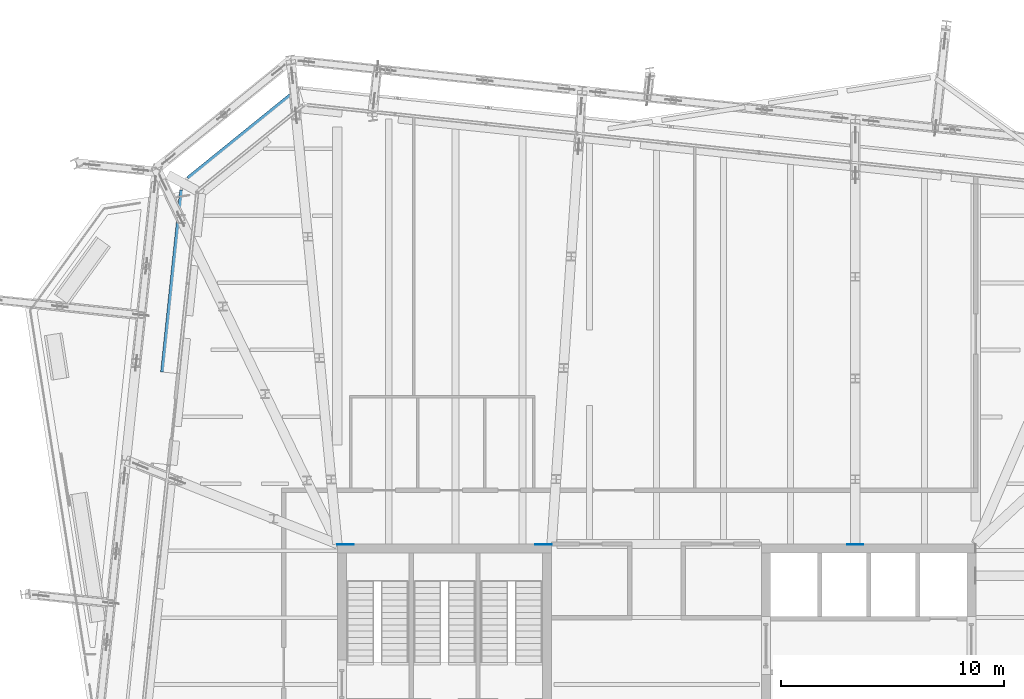
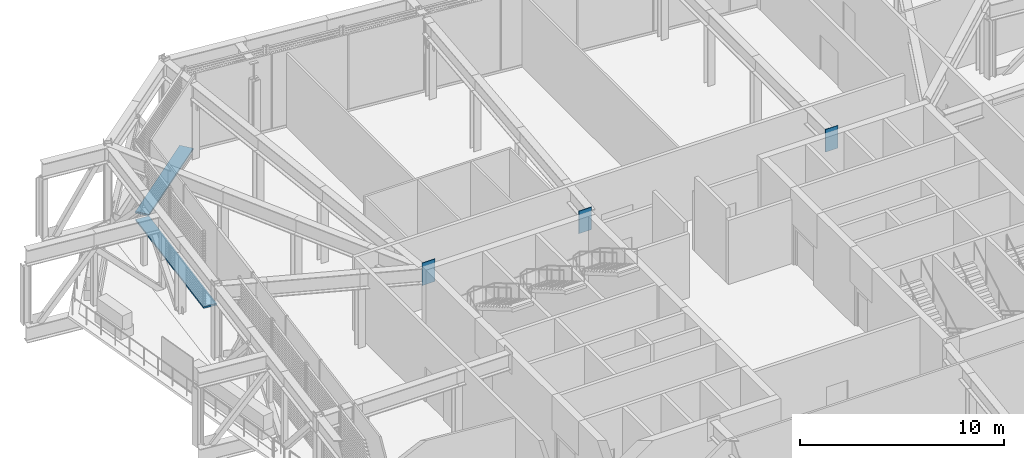
# One storey, part 27 of 36: 5 discrete accessories.
"""IFC4 building model written with IfcOpenShell, lengths in metres."""

from ifc_helpers import new_model, si_unit, direction, frame, origin, origin_2d, place, context, subcontext, project, spatial, rectangle, extrude, material, layer, layer_set, type_object, element, save


model = new_model("IFC4")

# Units and contexts
model_context = context("Model", 3, precision=1e-05, world=origin(), true_north=direction((0.0, 1.0)))
body_context = subcontext(model_context, "Body", "Model", "MODEL_VIEW")
ifc_project = project(units=[si_unit("LENGTHUNIT", "METRE"), si_unit("AREAUNIT", "SQUARE_METRE"), si_unit("VOLUMEUNIT", "CUBIC_METRE"), si_unit("PLANEANGLEUNIT", "RADIAN"), si_unit("MASSUNIT", "GRAM", prefix="KILO")], contexts=[model_context])

# Site, building, storey
site_placement = place(None, origin())
site = spatial("IfcSite", under=ifc_project, at=site_placement, CompositionType="ELEMENT")
building_placement = place(site_placement, origin())
building = spatial("IfcBuilding", under=site, at=building_placement, Name="Millrace Tower", CompositionType="ELEMENT")
storey_placement = place(building_placement, frame((0.0, 0.0, 271.39990234375)))
storey = spatial("IfcBuildingStorey", under=building, at=storey_placement, Name="L62", CompositionType="ELEMENT", Elevation=271.39990234375)

# Discrete accessories
ifc_material_1 = material(Name="Steel ASTM A572 Grade 50", Category="steel")
ifc_layer_1 = layer(ifc_material_1, 0.034912109375)
ifc_layer_set_1 = layer_set([ifc_layer_1], Name="Steel ASTM A572 Grade 50")
discrete_accessory_type_1 = type_object("IfcDiscreteAccessoryType", Name="Cast-in anchor plate 725x1350x35", PredefinedType="ANCHORPLATE", material=ifc_layer_set_1)
discrete_accessory_1_placement = place(storey_placement, frame((8.9033203125, 9.264892578125, 3.96630859375), z_axis=(0.0, 1.0, 0.0), x_axis=(-1.0, 0.0, 0.0)))
element("IfcDiscreteAccessory", 1, at=discrete_accessory_1_placement, inside=storey, type_object=discrete_accessory_type_1, Name="Cast-in anchor plate TRS-L62-C11-T05", PredefinedType="ANCHORPLATE", context=body_context, shape_type="SweptSolid", body=[
    extrude(rectangle(XDim=0.72509765625, YDim=1.35009765625, at=origin_2d()), origin(), (0.0, 0.0, 1.0), 0.03515625),
])
ifc_material_2 = material(Name="Steel ASTM A572 Grade 50", Category="steel")
ifc_layer_2 = layer(ifc_material_2, 0.034912109375)
ifc_layer_set_2 = layer_set([ifc_layer_2], Name="Steel ASTM A572 Grade 50")
discrete_accessory_type_2 = type_object("IfcDiscreteAccessoryType", Name="Cast-in anchor plate 730x1350x35", PredefinedType="ANCHORPLATE", material=ifc_layer_set_2)
for number, where, z_axis, x_axis, name in (
    (2, (-5.06494140625, 9.264892578125, 3.96630859375), (0.0, 1.0, 0.0), (-1.0, 0.0, 0.0), "Cast-in anchor plate TRS-L62-C12-T05"),
    (3, (-13.93505859375, 9.264892578125, 3.96630859375), (0.0, 1.0, 0.0), (-1.0, 0.0, 0.0), "Cast-in anchor plate TRS-L62-C13-T05"),
):
    element("IfcDiscreteAccessory", number, at=place(storey_placement, frame(where, z_axis=z_axis, x_axis=x_axis)), inside=storey, type_object=discrete_accessory_type_2, Name=name, PredefinedType="ANCHORPLATE", context=body_context, shape_type="SweptSolid", body=[
        extrude(rectangle(XDim=0.72998046875, YDim=1.35009765625, at=origin_2d()), origin(), (0.0, 0.0, 1.0), 0.03515625),
    ])
ifc_material_3 = material(Name="Stainless steel ASTM A240 type 316", Category="steel")
discrete_accessory_type_3 = type_object("IfcDiscreteAccessoryType", Name="Thermally broken screen support rail", PredefinedType="BRACKET", material=ifc_material_3)
discrete_accessory_2_placement = place(storey_placement, frame((-18.454833984375, 27.38671875, 0.0), z_axis=(0.0, 0.0, 1.0), x_axis=(-0.777146052237, -0.629320278945, 0.0)))
element("IfcDiscreteAccessory", 4, at=discrete_accessory_2_placement, inside=storey, type_object=discrete_accessory_type_3, Name="Thermally broken screen support rail E-F07 L62 1", PredefinedType="BRACKET", context=body_context, shape_type="SweptSolid", body=[
    extrude(rectangle(XDim=6.0810546875, YDim=0.719970703125, at=origin_2d()), origin(), (0.0, 0.0, 1.0), 0.10009765625),
])
discrete_accessory_3_placement = place(storey_placement, frame((-21.4326171875, 21.052734375, 0.0), z_axis=(0.0, 0.0, 1.0), x_axis=(-0.104528455196, -0.994521896217, 0.0)))
element("IfcDiscreteAccessory", 5, at=discrete_accessory_3_placement, inside=storey, type_object=discrete_accessory_type_3, Name="Thermally broken screen support rail E-F08 L62 1", PredefinedType="BRACKET", context=body_context, shape_type="SweptSolid", body=[
    extrude(rectangle(XDim=8.199951171875, YDim=0.719970703125, at=origin_2d()), origin(), (0.0, 0.0, 1.0), 0.10009765625),
])

save(model, "model.ifc")
